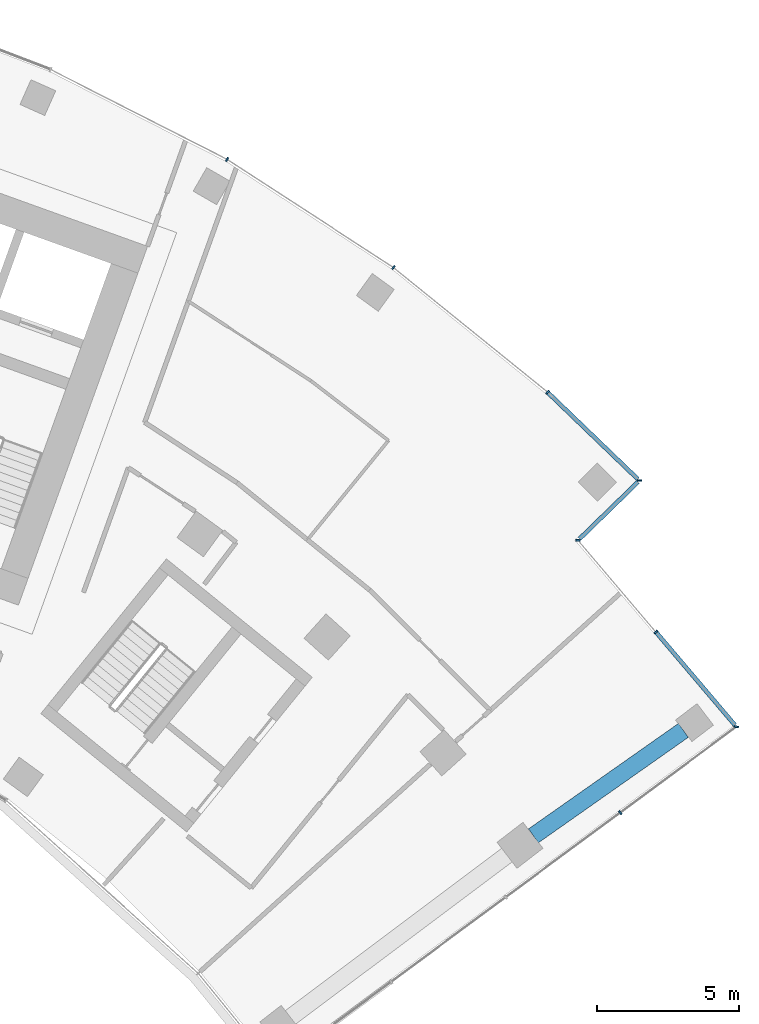
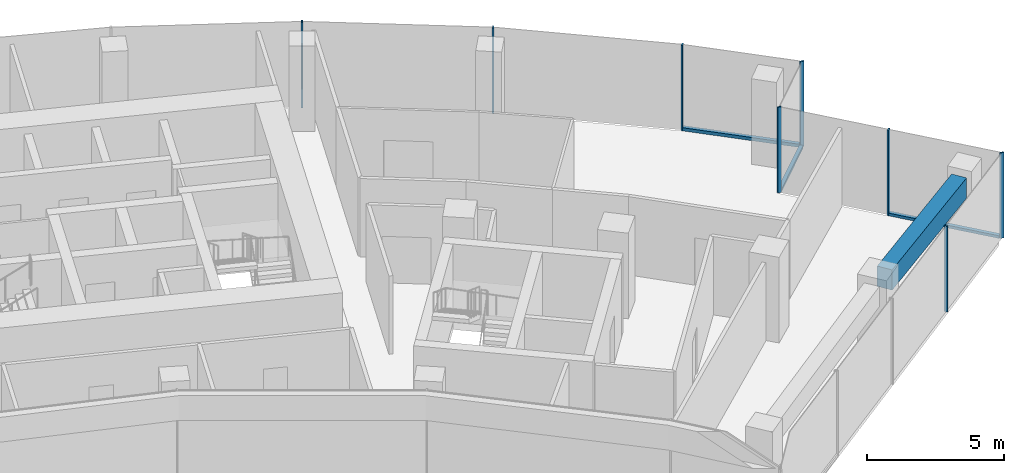
# One storey, part 8 of 19: 11 members, 1 beam, 4 elements without a shape of their own.
"""IFC4 building model written with IfcOpenShell, lengths in metres."""

from ifc_helpers import new_model, si_unit, direction, frame, origin, origin_2d, place, context, subcontext, project, spatial, rectangle, extrude, material, layer, layer_set, material_profile, profile_set, type_object, element, aggregate, save


model = new_model("IFC4")

# Units and contexts
model_context = context("Model", 3, precision=1e-05, world=origin(), true_north=direction((0.0, 1.0)))
body_context = subcontext(model_context, "Body", "Model", "MODEL_VIEW")
ifc_project = project(units=[si_unit("LENGTHUNIT", "METRE"), si_unit("AREAUNIT", "SQUARE_METRE"), si_unit("VOLUMEUNIT", "CUBIC_METRE"), si_unit("PLANEANGLEUNIT", "RADIAN"), si_unit("MASSUNIT", "GRAM", prefix="KILO")], contexts=[model_context])

# Site, building, storey
site_placement = place(None, origin())
site = spatial("IfcSite", under=ifc_project, at=site_placement, CompositionType="ELEMENT")
building_placement = place(site_placement, origin())
building = spatial("IfcBuilding", under=site, at=building_placement, Name="Stone Belt Terrace Tower", CompositionType="ELEMENT")
storey_placement = place(building_placement, frame((0.0, 0.0, 204.800048828125)))
storey = spatial("IfcBuildingStorey", under=building, at=storey_placement, Name="L49", CompositionType="ELEMENT", Elevation=204.800048828125)

# Curtain wall, members
ifc_material_1 = material(Name="Aluminium 6063-T6 anodised frame", Category="aluminium")
ifc_layer_1 = layer(ifc_material_1, 0.14990234375)
ifc_layer_set_1 = layer_set([ifc_layer_1], Name="CW-A unitised convex-face curtain wall")
curtain_wall_type_1 = type_object("IfcCurtainWallType", Name="CW-A unitised convex-face curtain wall", PredefinedType="NOTDEFINED", material=ifc_layer_set_1)
curtain_wall_1_placement = place(storey_placement, origin())
curtain_wall_1 = element("IfcCurtainWall", 1, at=curtain_wall_1_placement, inside=storey, type_object=curtain_wall_type_1, Name="CW-A convex face L49", PredefinedType="NOTDEFINED")
ifc_material_profile_1 = material_profile(ifc_material_1, rectangle(XDim=0.14990234375, YDim=0.06005859375, at=origin_2d()), Name="Aluminium 6063-T6 60x150")
ifc_profile_set_1 = profile_set([ifc_material_profile_1], Name="Aluminium 6063-T6 anodised frame")
member_type_1 = type_object("IfcMemberType", Name="CW-A mullion 60 x 150", PredefinedType="MULLION", material=ifc_profile_set_1)
member_1_placement = place(storey_placement, frame((47.775390625, 46.369140625, 0.0), z_axis=(0.0, 0.0, 1.0), x_axis=(-0.999996264646, -0.002733257028, 0.0)))
member_1 = element("IfcMember", 2, at=member_1_placement, type_object=member_type_1, Name="CW-A mullion 1", PredefinedType="MULLION", context=body_context, shape_type="SweptSolid", body=[
    extrude(rectangle(XDim=0.14990234375, YDim=0.06005859375, at=origin_2d()), origin(), (0.0, 0.0, 1.0), 3.800048828125),
])
member_2_placement = place(storey_placement, frame((44.546875, 49.475341796875, 0.0), z_axis=(0.0, 0.0, 1.0), x_axis=(-0.661937409618, -0.749559114245, 0.0)))
member_2 = element("IfcMember", 3, at=member_2_placement, type_object=member_type_1, Name="CW-A mullion 2", PredefinedType="MULLION", context=body_context, shape_type="SweptSolid", body=[
    extrude(rectangle(XDim=0.14990234375, YDim=0.06005859375, at=origin_2d()), origin(), (0.0, 0.0, 1.0), 3.800048828125),
])
member_3_placement = place(storey_placement, frame((39.1318359375, 53.8603515625, 0.0), z_axis=(0.0, 0.0, 1.0), x_axis=(-0.587785252292, -0.809016994375, 0.0)))
member_3 = element("IfcMember", 4, at=member_3_placement, type_object=member_type_1, Name="CW-A mullion 3", PredefinedType="MULLION", context=body_context, shape_type="SweptSolid", body=[
    extrude(rectangle(XDim=0.14990234375, YDim=0.06005859375, at=origin_2d()), origin(), (0.0, 0.0, 1.0), 3.800048828125),
])
member_4_placement = place(storey_placement, frame((33.28759765625, 57.65576171875, 0.0), z_axis=(0.0, 0.0, 1.0), x_axis=(-0.5, -0.866025403784, 0.0)))
member_4 = element("IfcMember", 5, at=member_4_placement, type_object=member_type_1, Name="CW-A mullion 4", PredefinedType="MULLION", context=body_context, shape_type="SweptSolid", body=[
    extrude(rectangle(XDim=0.14990234375, YDim=0.06005859375, at=origin_2d()), origin(), (0.0, 0.0, 1.0), 3.800048828125),
])
ifc_material_profile_2 = material_profile(ifc_material_1, rectangle(XDim=0.14990234375, YDim=0.139892578125, at=origin_2d()), Name="Aluminium 6063-T6 150x140")
ifc_profile_set_2 = profile_set([ifc_material_profile_2], Name="Aluminium 6063-T6 anodised frame")
member_type_2 = type_object("IfcMemberType", Name="CW-A transom 140 x 150", PredefinedType="USERDEFINED", material=ifc_profile_set_2)
member_5_placement = place(storey_placement, frame((47.721435546875, 46.4208984375, 0.070068359375), z_axis=(-0.720600183576, 0.693350831419, 0.0), x_axis=(-0.693350831419, -0.720600183576, 0.0)))
member_5 = element("IfcMember", 6, at=member_5_placement, type_object=member_type_2, Name="CW-A transom 1.1", ObjectType="TRANSOM", PredefinedType="USERDEFINED", context=body_context, shape_type="SweptSolid", body=[
    extrude(rectangle(XDim=0.14990234375, YDim=0.139892578125, at=origin_2d()), origin(), (0.0, 0.0, 1.0), 4.372314453125),
])
aggregate(curtain_wall_1, [member_1, member_2, member_3, member_4, member_5])

# Curtain wall, member
ifc_layer_2 = layer(ifc_material_1, 0.14990234375)
ifc_layer_set_2 = layer_set([ifc_layer_2], Name="CW-C stick curtain wall, horn ends and notches")
curtain_wall_type_2 = type_object("IfcCurtainWallType", Name="CW-C stick curtain wall, horn ends and notches", PredefinedType="NOTDEFINED", material=ifc_layer_set_2)
curtain_wall_2_placement = place(storey_placement, origin())
curtain_wall_2 = element("IfcCurtainWall", 7, at=curtain_wall_2_placement, inside=storey, type_object=curtain_wall_type_2, Name="CW-C end face L49", PredefinedType="NOTDEFINED")
ifc_material_profile_3 = material_profile(ifc_material_1, rectangle(XDim=0.14990234375, YDim=0.06005859375, at=origin_2d()), Name="Aluminium 6063-T6 60x150")
ifc_profile_set_3 = profile_set([ifc_material_profile_3], Name="Aluminium 6063-T6 anodised frame")
member_type_3 = type_object("IfcMemberType", Name="CW-C mullion 60 x 150", PredefinedType="MULLION", material=ifc_profile_set_3)
member_6_placement = place(storey_placement, frame((47.097900390625, 34.699462890625, 0.0), z_axis=(0.0, 0.0, 1.0), x_axis=(-0.594184091865, 0.804329077539, 0.0)))
member_6 = element("IfcMember", 8, at=member_6_placement, type_object=member_type_3, Name="CW-C mullion 4", PredefinedType="MULLION", context=body_context, shape_type="SweptSolid", body=[
    extrude(rectangle(XDim=0.14990234375, YDim=0.06005859375, at=origin_2d()), origin(), (0.0, 0.0, 1.0), 3.800048828125),
])
aggregate(curtain_wall_2, [member_6])

# Curtain wall, members
curtain_wall_3_placement = place(storey_placement, origin())
curtain_wall_3 = element("IfcCurtainWall", 9, at=curtain_wall_3_placement, inside=storey, type_object=curtain_wall_type_2, Name="CW-C notch face L49", PredefinedType="NOTDEFINED")
member_7_placement = place(storey_placement, frame((51.18408203125, 37.718017578125, 0.0), z_axis=(0.0, 0.0, 1.0), x_axis=(-0.993358853918, 0.115057321987, 0.0)))
member_7 = element("IfcMember", 10, at=member_7_placement, type_object=member_type_3, Name="CW-C mullion 1", PredefinedType="MULLION", context=body_context, shape_type="SweptSolid", body=[
    extrude(rectangle(XDim=0.14990234375, YDim=0.06005859375, at=origin_2d()), origin(), (0.0, 0.0, 1.0), 3.800048828125),
])
member_8_placement = place(storey_placement, frame((48.35302734375, 41.052490234375, 0.0), z_axis=(0.0, 0.0, 1.0), x_axis=(-0.762310954743, -0.647210945735, 0.0)))
member_8 = element("IfcMember", 11, at=member_8_placement, type_object=member_type_3, Name="CW-C mullion 2", PredefinedType="MULLION", context=body_context, shape_type="SweptSolid", body=[
    extrude(rectangle(XDim=0.14990234375, YDim=0.06005859375, at=origin_2d()), origin(), (0.0, 0.0, 1.0), 3.800048828125),
])

# Curtain wall, member
curtain_wall_4_placement = place(storey_placement, origin())
curtain_wall_4 = element("IfcCurtainWall", 12, at=curtain_wall_4_placement, inside=storey, type_object=curtain_wall_type_2, Name="CW-C notch face L49", PredefinedType="NOTDEFINED")
member_9_placement = place(storey_placement, frame((45.61962890625, 44.27197265625, 0.0), z_axis=(0.0, 0.0, 1.0), x_axis=(-0.998865261612, 0.047625509398, 0.0)))
member_9 = element("IfcMember", 13, at=member_9_placement, type_object=member_type_3, Name="CW-C mullion 1", PredefinedType="MULLION", context=body_context, shape_type="SweptSolid", body=[
    extrude(rectangle(XDim=0.14990234375, YDim=0.06005859375, at=origin_2d()), origin(), (0.0, 0.0, 1.0), 3.800048828125),
])

# Member
ifc_material_profile_4 = material_profile(ifc_material_1, rectangle(XDim=0.14990234375, YDim=0.1201171875, at=origin_2d()), Name="Aluminium 6063-T6 150x120")
ifc_profile_set_4 = profile_set([ifc_material_profile_4], Name="Aluminium 6063-T6 anodised frame")
member_type_4 = type_object("IfcMemberType", Name="CW-C transom 120 x 150", PredefinedType="USERDEFINED", material=ifc_profile_set_4)
member_10_placement = place(storey_placement, frame((51.13525390625, 37.775390625, 0.06005859375), z_axis=(-0.647195078608, 0.762324425836, 0.0), x_axis=(-0.762324425836, -0.647195078608, 0.0)))
member_10 = element("IfcMember", 14, at=member_10_placement, type_object=member_type_4, Name="CW-C transom 1.1", ObjectType="TRANSOM", PredefinedType="USERDEFINED", context=body_context, shape_type="SweptSolid", body=[
    extrude(rectangle(XDim=0.14990234375, YDim=0.1201171875, at=origin_2d()), origin(), (0.0, 0.0, 1.0), 4.268798828125),
])

aggregate(curtain_wall_3, [member_7, member_8, member_10])

member_11_placement = place(storey_placement, frame((45.671875, 44.322998046875, 0.06005859375), z_axis=(0.716814728684, 0.697263683797, 0.0), x_axis=(-0.697263683797, 0.716814728684, 0.0)))
member_11 = element("IfcMember", 15, at=member_11_placement, type_object=member_type_4, Name="CW-C transom 1.1", ObjectType="TRANSOM", PredefinedType="USERDEFINED", context=body_context, shape_type="SweptSolid", body=[
    extrude(rectangle(XDim=0.14990234375, YDim=0.1201171875, at=origin_2d()), origin(), (0.0, 0.0, 1.0), 2.859619140625),
])

aggregate(curtain_wall_4, [member_9, member_11])

# Beam
ifc_material_2 = material(Name="Concrete B60", Category="concrete")
ifc_material_profile_5 = material_profile(ifc_material_2, rectangle(XDim=0.60009765625, YDim=0.89990234375, at=origin_2d()), Name="RC 600x900")
ifc_profile_set_5 = profile_set([ifc_material_profile_5], Name="Concrete B60")
beam_type = type_object("IfcBeamType", Name="Edge beam RC 600x900 B60", PredefinedType="SPANDREL", material=ifc_profile_set_5)
beam_placement = place(storey_placement, frame((44.049560546875, 33.885498046875, 3.030029296875), z_axis=(0.817996569297, 0.575223098126, 0.0), x_axis=(-0.575223098126, 0.817996569297, 0.0)))
element("IfcBeam", 16, at=beam_placement, inside=storey, type_object=beam_type, Name="Edge beam L49 B Q to R", PredefinedType="SPANDREL", context=body_context, shape_type="SweptSolid", body=[
    extrude(rectangle(XDim=0.60009765625, YDim=0.89990234375, at=origin_2d()), origin(), (0.0, 0.0, 1.0), 6.444091796875),
])

save(model, "model.ifc")
